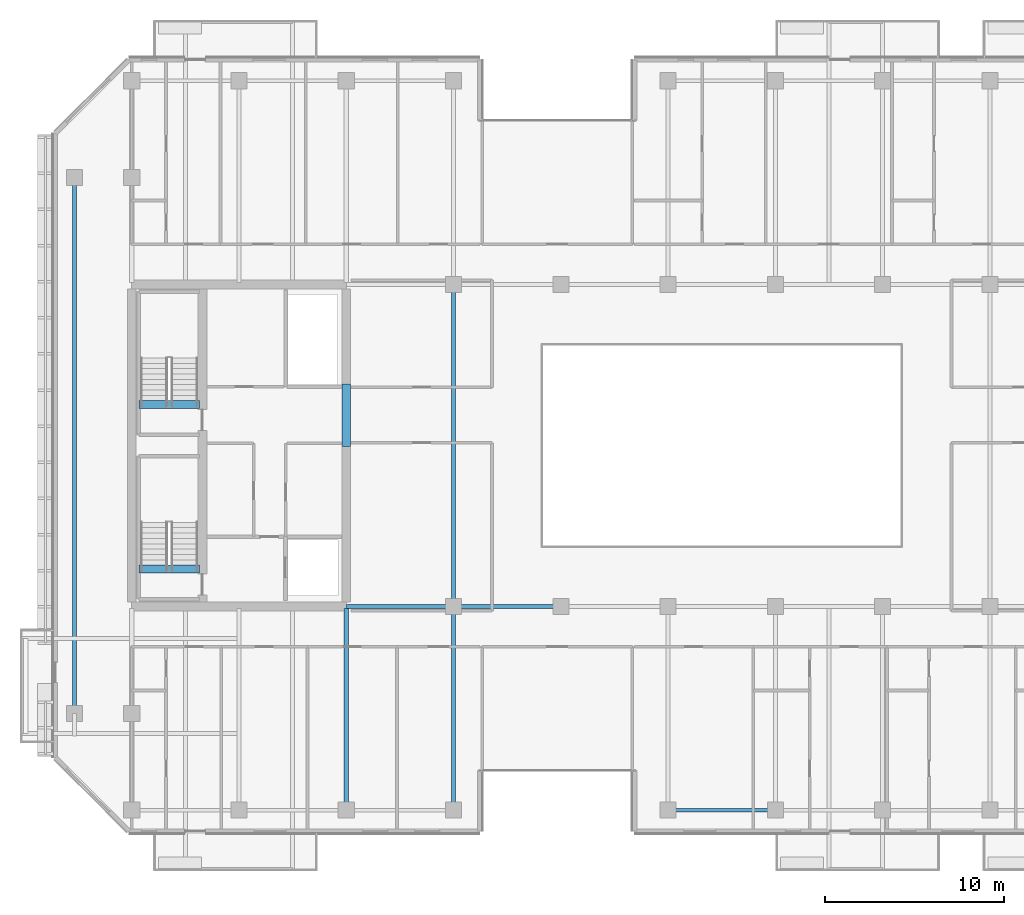
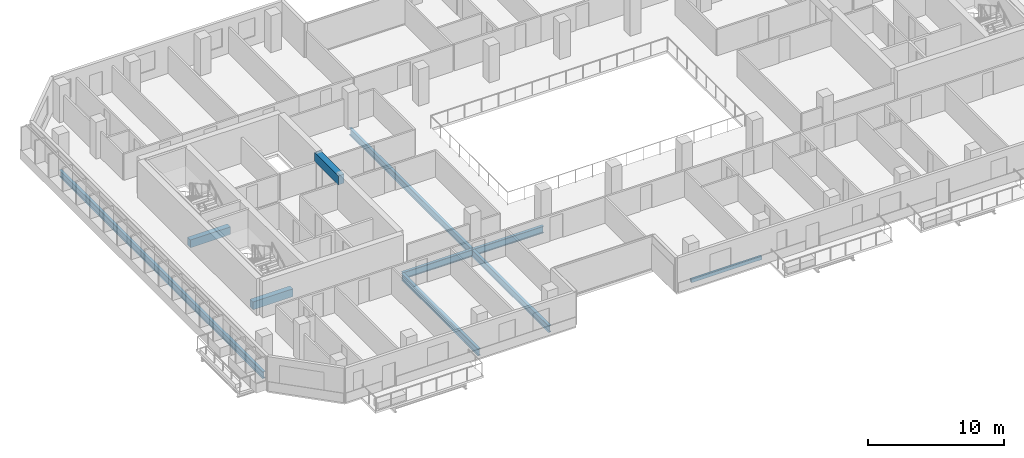
# One storey, part 3 of 19: 10 beams.
"""IFC4 building model written with IfcOpenShell, lengths in metres."""

from ifc_helpers import new_model, si_unit, direction, frame, origin, origin_2d, place, context, subcontext, project, spatial, rectangle, hollow_rectangle, i_section, extrude, material, material_profile, profile_set, type_object, element, save


model = new_model("IFC4")

# Units and contexts
model_context = context("Model", 3, precision=1e-05, world=origin(), true_north=direction((0.0, 1.0)))
body_context = subcontext(model_context, "Body", "Model", "MODEL_VIEW")
ifc_project = project(units=[si_unit("LENGTHUNIT", "METRE"), si_unit("AREAUNIT", "SQUARE_METRE"), si_unit("VOLUMEUNIT", "CUBIC_METRE"), si_unit("PLANEANGLEUNIT", "RADIAN"), si_unit("MASSUNIT", "GRAM", prefix="KILO")], contexts=[model_context])

# Site, building, storey
site_placement = place(None, origin())
site = spatial("IfcSite", under=ifc_project, at=site_placement, CompositionType="ELEMENT")
building_placement = place(site_placement, origin())
building = spatial("IfcBuilding", under=site, at=building_placement, Name="Tanjung Sevakor Pilgrim Tower", CompositionType="ELEMENT")
storey_placement = place(building_placement, frame((0.0, 0.0, 135.300048828125)))
storey = spatial("IfcBuildingStorey", under=building, at=storey_placement, Name="L37", CompositionType="ELEMENT", Elevation=135.300048828125)

# Beams
ifc_material_1 = material(Name="Steel S355J2", Category="steel")
ifc_material_profile_1 = material_profile(ifc_material_1, i_section(OverallWidth=0.230224609375, OverallDepth=0.6171875, WebThickness=0.01318359375, FlangeThickness=0.022216796875, FilletRadius=0.0126953125, at=origin_2d()))
ifc_profile_set_1 = profile_set([ifc_material_profile_1], Name="Steel S355J2")
beam_type_1 = type_object("IfcBeamType", Name="BM-B-G3-UB_610x229x140", PredefinedType="BEAM", material=ifc_profile_set_1)
for number, where, z_axis, x_axis, name in (
    (1, (36.0, 24.60009765625, -0.528564453125), (1.0, 0.0, 0.0), (0.0, 1.0, 0.0), "L37 Primary Floor Girder MAIN Y246-01"),
    (2, (42.0, 24.60009765625, -0.528564453125), (1.0, 0.0, 0.0), (0.0, 1.0, 0.0), "L37 Primary Floor Girder MAIN Y246-02"),
):
    element("IfcBeam", number, at=place(storey_placement, frame(where, z_axis=z_axis, x_axis=x_axis)), inside=storey, type_object=beam_type_1, Name=name, PredefinedType="BEAM", context=body_context, shape_type="SweptSolid", body=[
        extrude(i_section(OverallWidth=0.230224609375, OverallDepth=0.6171875, WebThickness=0.01318359375, FlangeThickness=0.022216796875, FilletRadius=0.0126953125, at=origin_2d()), origin(), (0.0, 0.0, 1.0), 6.0),
    ])
ifc_material_2 = material(Name="Steel S355J2", Category="steel")
ifc_material_profile_2 = material_profile(ifc_material_2, i_section(OverallWidth=0.22900390625, OverallDepth=0.6123046875, WebThickness=0.011962890625, FlangeThickness=0.01953125, FilletRadius=0.0126953125, at=origin_2d()))
ifc_profile_set_2 = profile_set([ifc_material_profile_2], Name="Steel S355J2")
beam_type_2 = type_object("IfcBeamType", Name="BM-B-G4-UB_610x229x125", PredefinedType="BEAM", material=ifc_profile_set_2)
beam_1_placement = place(storey_placement, frame((20.800048828125, 18.60009765625, -0.526123046875), z_axis=(0.0, 1.0, 0.0), x_axis=(-1.0, 0.0, 0.0)))
element("IfcBeam", 3, at=beam_1_placement, inside=storey, type_object=beam_type_2, Name="L37 Short-End Edge Girder W", PredefinedType="BEAM", context=body_context, shape_type="SweptSolid", body=[
    extrude(i_section(OverallWidth=0.22900390625, OverallDepth=0.6123046875, WebThickness=0.011962890625, FlangeThickness=0.01953125, FilletRadius=0.0126953125, at=origin_2d()), origin(), (0.0, 0.0, 1.0), 30.0),
])
beam_2_placement = place(storey_placement, frame((36.0, 13.199951171875, -0.526123046875), z_axis=(0.0, 1.0, 0.0), x_axis=(-1.0, 0.0, 0.0)))
element("IfcBeam", 4, at=beam_2_placement, inside=storey, type_object=beam_type_2, Name="L37 MAIN Girder 005", PredefinedType="BEAM", context=body_context, shape_type="SweptSolid", body=[
    extrude(i_section(OverallWidth=0.22900390625, OverallDepth=0.6123046875, WebThickness=0.011962890625, FlangeThickness=0.01953125, FilletRadius=0.0126953125, at=origin_2d()), origin(), (0.0, 0.0, 1.0), 11.284912109375),
])
beam_3_placement = place(storey_placement, frame((42.0, 13.199951171875, -0.526123046875), z_axis=(0.0, 1.0, 0.0), x_axis=(-1.0, 0.0, 0.0)))
element("IfcBeam", 5, at=beam_3_placement, inside=storey, type_object=beam_type_2, Name="L37 MAIN Girder 007", PredefinedType="BEAM", context=body_context, shape_type="SweptSolid", body=[
    extrude(i_section(OverallWidth=0.22900390625, OverallDepth=0.6123046875, WebThickness=0.011962890625, FlangeThickness=0.01953125, FilletRadius=0.0126953125, at=origin_2d()), origin(), (0.0, 0.0, 1.0), 11.400146484375),
])
beam_4_placement = place(storey_placement, frame((42.0, 24.60009765625, -0.526123046875), z_axis=(0.0, 1.0, 0.0), x_axis=(-1.0, 0.0, 0.0)))
element("IfcBeam", 6, at=beam_4_placement, inside=storey, type_object=beam_type_2, Name="L37 MAIN Girder 008", PredefinedType="BEAM", context=body_context, shape_type="SweptSolid", body=[
    extrude(i_section(OverallWidth=0.22900390625, OverallDepth=0.6123046875, WebThickness=0.011962890625, FlangeThickness=0.01953125, FilletRadius=0.0126953125, at=origin_2d()), origin(), (0.0, 0.0, 1.0), 18.0),
])
ifc_material_3 = material(Name="Concrete C60/75", Category="concrete")
ifc_material_profile_3 = material_profile(ifc_material_3, rectangle(XDim=0.5, YDim=0.800048828125, at=origin_2d()))
ifc_profile_set_3 = profile_set([ifc_material_profile_3], Name="Concrete C60/75")
beam_type_3 = type_object("IfcBeamType", Name="BM-B-LN2-RC-BM_500x800", PredefinedType="LINTEL", material=ifc_profile_set_3)
beam_5_placement = place(storey_placement, frame((36.0, 33.550048828125, 2.679931640625), z_axis=(0.0, 1.0, 0.0), x_axis=(-1.0, 0.0, 0.0)))
element("IfcBeam", 7, at=beam_5_placement, inside=storey, type_object=beam_type_3, Name="L37 W Core Coupling Lintel", PredefinedType="LINTEL", context=body_context, shape_type="SweptSolid", body=[
    extrude(rectangle(XDim=0.5, YDim=0.800048828125, at=origin_2d()), origin(), (0.0, 0.0, 1.0), 3.5),
])
ifc_material_4 = material(Name="Concrete C60/75", Category="concrete")
ifc_material_profile_4 = material_profile(ifc_material_4, rectangle(XDim=0.449951171875, YDim=0.699951171875, at=origin_2d()))
ifc_profile_set_4 = profile_set([ifc_material_profile_4], Name="Concrete C60/75")
beam_type_4 = type_object("IfcBeamType", Name="BM-B-LN3-RC-BM_450x700", PredefinedType="LINTEL", material=ifc_profile_set_4)
for number, where, z_axis, x_axis, name in (
    (8, (24.39990234375, 26.699951171875, -0.35009765625), (1.0, 0.0, 0.0), (0.0, 1.0, 0.0), "L37 TS-W1 Stair Threshold Beam"),
    (9, (24.39990234375, 35.89990234375, -0.35009765625), (1.0, 0.0, 0.0), (0.0, 1.0, 0.0), "L37 TS-W2 Stair Threshold Beam"),
):
    element("IfcBeam", number, at=place(storey_placement, frame(where, z_axis=z_axis, x_axis=x_axis)), inside=storey, type_object=beam_type_4, Name=name, PredefinedType="LINTEL", context=body_context, shape_type="SweptSolid", body=[
        extrude(rectangle(XDim=0.449951171875, YDim=0.699951171875, at=origin_2d()), origin(), (0.0, 0.0, 1.0), 3.400146484375),
    ])
ifc_material_5 = material(Name="Steel S355J2", Category="steel")
ifc_material_profile_5 = material_profile(ifc_material_5, hollow_rectangle(XDim=0.199951171875, YDim=0.300048828125, WallThickness=0.012451171875, at=origin_2d()))
ifc_profile_set_5 = profile_set([ifc_material_profile_5], Name="Steel S355J2")
beam_type_5 = type_object("IfcBeamType", Name="BM-B-SP3-RHS_300x200x12.5", PredefinedType="SPANDREL", material=ifc_profile_set_5)
beam_6_placement = place(storey_placement, frame((54.0, 13.199951171875, -0.3701171875), z_axis=(1.0, 0.0, 0.0), x_axis=(0.0, 1.0, 0.0)))
element("IfcBeam", 10, at=beam_6_placement, inside=storey, type_object=beam_type_5, Name="L37 Spandrel MAIN S-07", PredefinedType="SPANDREL", context=body_context, shape_type="SweptSolid", body=[
    extrude(hollow_rectangle(XDim=0.199951171875, YDim=0.300048828125, WallThickness=0.012451171875, at=origin_2d()), origin(), (0.0, 0.0, 1.0), 6.0),
])

save(model, "model.ifc")
